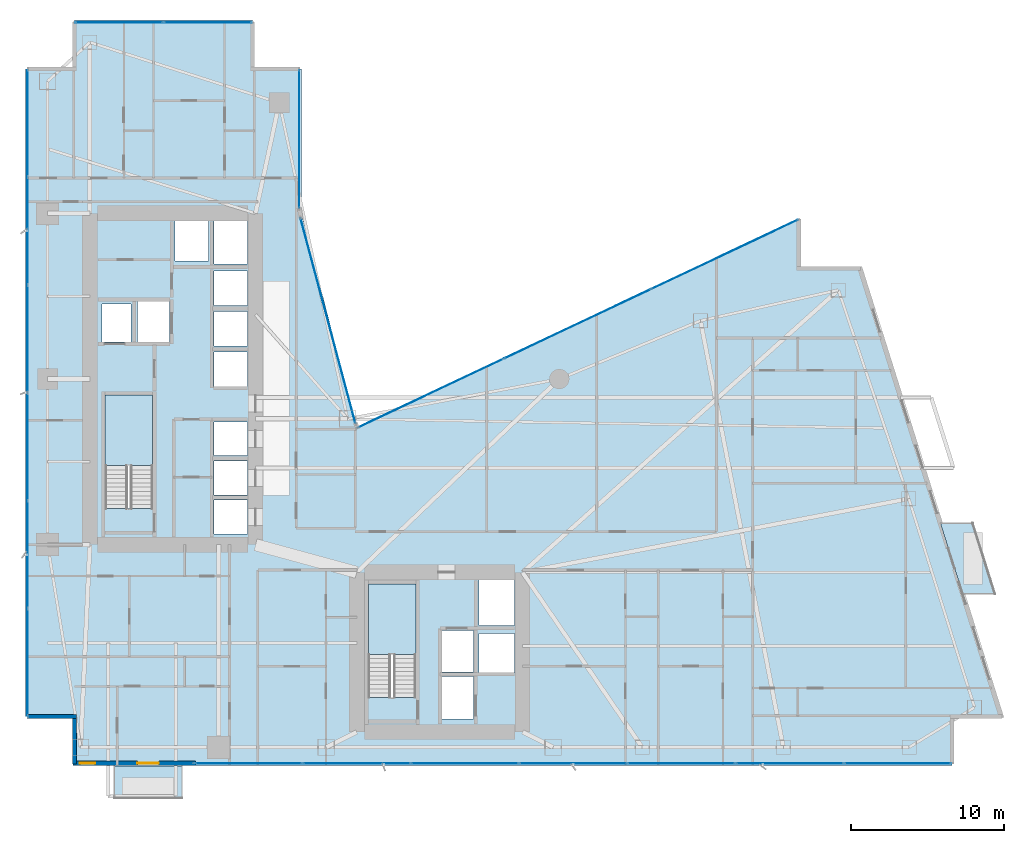
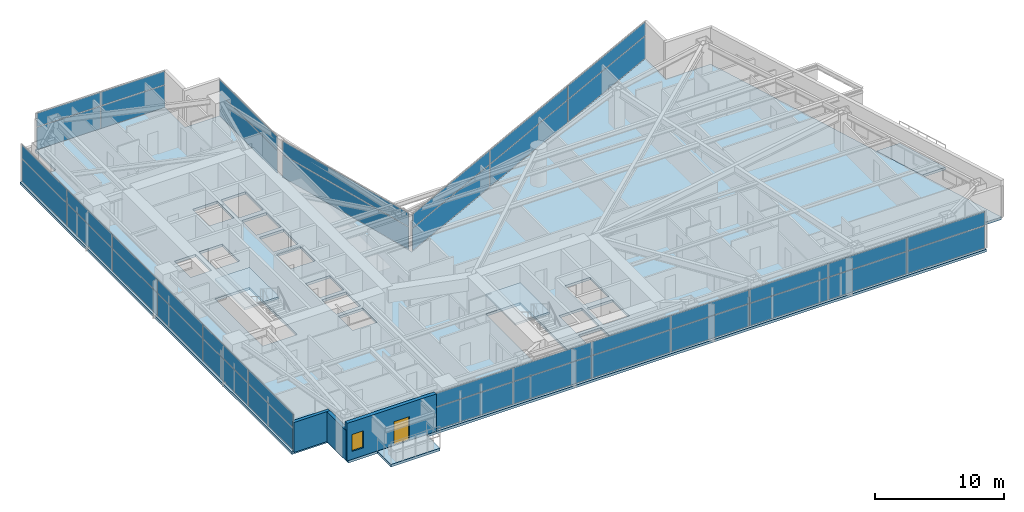
# One storey, part 21 of 29: 40 plates, 5 slabs, 3 walls, 1 door, 1 window, 2 openings, 8 elements without a shape of their own.
"""IFC4 building model written with IfcOpenShell, lengths in metres."""

import ifcopenshell
import ifcopenshell.guid

model = None  # the IFC model being written
_history = None  # IfcOwnerHistory: only IFC2X3 demands one
_inside = {}  # id of a spatial element -> (the spatial element, [elements in it])
_under = {}  # id of a project, library or spatial element -> (it, [spatial elements below it])
_declared = {}  # id of a project -> (the project, [libraries it declares])
_typed = {}  # id of a type object -> (the type object, [elements of that type])
_made_of = {}  # id of a material, layer set ... -> (it, [elements and type objects made of it])


def new_model(schema):
    """Start an empty IFC model of exactly this schema.

    Asked for "IFC4X3", IfcOpenShell would pick the latest addendum, in which some entities
    have other attributes; the version numbers below select the first issue.
    IFC2X3 requires an IfcOwnerHistory on every rooted entity: one is made here for all.
    """
    global model, _history
    if schema == "IFC4X3":
        model = ifcopenshell.file(schema_version=(4, 3, 0, 0))
    else:
        model = ifcopenshell.file(schema=schema)
    _inside.clear()
    _under.clear()
    _declared.clear()
    _typed.clear()
    _made_of.clear()
    _history = None
    if model.schema == "IFC2X3":
        org = make("IfcOrganization", Name="unknown")
        user = make(
            "IfcPersonAndOrganization",
            ThePerson=make("IfcPerson", FamilyName="unknown"),
            TheOrganization=org,
        )
        app = make(
            "IfcApplication",
            ApplicationDeveloper=org,
            Version="unknown",
            ApplicationFullName="unknown",
            ApplicationIdentifier="unknown",
        )
        _history = make(
            "IfcOwnerHistory",
            OwningUser=user,
            OwningApplication=app,
            ChangeAction="ADDED",
            CreationDate=0,
        )
    return model


def make(cls, **values):
    """One entity of the class cls with the attributes given. An attribute that is None is left unset."""
    return model.create_entity(
        cls, **{name: value for name, value in values.items() if value is not None}
    )


def rooted(cls, **values):
    """An entity with a GlobalId (a new one), such as an element, a storey or a relation."""
    return make(cls, GlobalId=ifcopenshell.guid.new(), OwnerHistory=_history, **values)


def si_unit(unit_type, name, prefix=None):
    """IfcSIUnit, for example si_unit("LENGTHUNIT", "METRE", prefix="MILLI")."""
    return make("IfcSIUnit", UnitType=unit_type, Prefix=prefix, Name=name)


def assignment(units):
    """IfcUnitAssignment: the units of a project."""
    return None if units is None else make("IfcUnitAssignment", Units=units)


def point(xyz):
    """IfcCartesianPoint."""
    return None if xyz is None else make("IfcCartesianPoint", Coordinates=xyz)


def direction(xyz):
    """IfcDirection."""
    return None if xyz is None else make("IfcDirection", DirectionRatios=xyz)


def frame(location, z_axis=None, x_axis=None):
    """IfcAxis2Placement3D, a coordinate frame: its origin and axes. An axis left out is left unset."""
    return make(
        "IfcAxis2Placement3D",
        Location=point(location),
        Axis=direction(z_axis),
        RefDirection=direction(x_axis),
    )


def frame_2d(location, x_axis=None):
    """IfcAxis2Placement2D, a coordinate frame in the plane: its origin and x axis."""
    return make(
        "IfcAxis2Placement2D", Location=point(location), RefDirection=direction(x_axis)
    )


def origin():
    """The frame at (0, 0, 0) with its axes left unset."""
    return frame((0.0, 0.0, 0.0))


def origin_2d():
    """The frame at (0, 0) in the plane with its x axis left unset."""
    return frame_2d((0.0, 0.0))


def place(relative_to, where):
    """IfcLocalPlacement: puts the frame where relative to a parent placement (None: the world)."""
    return make(
        "IfcLocalPlacement", PlacementRelTo=relative_to, RelativePlacement=where
    )


def context(
    kind, dimensions, precision=None, world=None, true_north=None, identifier=None
):
    """IfcGeometricRepresentationContext, for example the 3D "Model" context."""
    return make(
        "IfcGeometricRepresentationContext",
        ContextIdentifier=identifier,
        ContextType=kind,
        CoordinateSpaceDimension=dimensions,
        Precision=precision,
        WorldCoordinateSystem=world,
        TrueNorth=true_north,
    )


def subcontext(parent, identifier, kind, view, scale=None):
    """IfcGeometricRepresentationSubContext, for example "Body" below "Model"."""
    return make(
        "IfcGeometricRepresentationSubContext",
        ContextIdentifier=identifier,
        ContextType=kind,
        ParentContext=parent,
        TargetScale=scale,
        TargetView=view,
    )


def project(units=None, contexts=None):
    """IfcProject with its units and contexts."""
    return rooted(
        "IfcProject",
        Name="project",
        RepresentationContexts=contexts,
        UnitsInContext=assignment(units),
    )


def spatial(cls, under=None, at=None, **own):
    """A site, building, storey or space (cls), placed at a placement, below another one or the project."""
    s = rooted(cls, ObjectPlacement=at, **own)
    if under is not None:
        _under.setdefault(under.id(), (under, []))[1].append(s)
    return s


def polyline(points):
    """IfcPolyline through the points."""
    return make("IfcPolyline", Points=[point(p) for p in points])


def profile(cls, at=None, kind="AREA", **sizes):
    """A parametric profile (cls). Its sizes go by their IFC names, for example OverallWidth=200.0."""
    return make(cls, ProfileType=kind, Position=at, **sizes)


def rectangle(**sizes):
    """IfcRectangleProfileDef."""
    return profile("IfcRectangleProfileDef", **sizes)


def outline(outer, holes=None, kind="AREA"):
    """IfcArbitraryClosedProfileDef: a profile drawn as a closed curve; with holes, ...WithVoids."""
    if holes is None:
        return make("IfcArbitraryClosedProfileDef", ProfileType=kind, OuterCurve=outer)
    return make(
        "IfcArbitraryProfileDefWithVoids",
        ProfileType=kind,
        OuterCurve=outer,
        InnerCurves=holes,
    )


def extrude(swept, where, along, depth):
    """IfcExtrudedAreaSolid: the profile swept, set in the frame where, extruded along a direction by depth."""
    return make(
        "IfcExtrudedAreaSolid",
        SweptArea=swept,
        Position=where,
        ExtrudedDirection=direction(along),
        Depth=depth,
    )


def shape(context_of_items, identifier, shape_type, items):
    """IfcShapeRepresentation: the items that make up one representation, for example the "Body"."""
    return make(
        "IfcShapeRepresentation",
        ContextOfItems=context_of_items,
        RepresentationIdentifier=identifier,
        RepresentationType=shape_type,
        Items=items,
    )


def material(Name=None, Category=None):
    """IfcMaterial."""
    return make("IfcMaterial", Name=Name, Category=Category)


def layer(
    of_material, thickness, ventilated=None, Name=None, Category=None, Priority=None
):
    """IfcMaterialLayer: one layer of a wall or slab, of a material (None: an air gap)."""
    return make(
        "IfcMaterialLayer",
        Material=of_material,
        LayerThickness=thickness,
        IsVentilated=ventilated,
        Name=Name,
        Category=Category,
        Priority=Priority,
    )


def layer_set(layers, Name=None):
    """IfcMaterialLayerSet."""
    return make("IfcMaterialLayerSet", MaterialLayers=layers, LayerSetName=Name)


def made_of(thing, what):
    """Note that an element or type object is made of a material, layer set ...; save() writes the relation."""
    if what is not None:
        _made_of.setdefault(what.id(), (what, []))[1].append(thing)
    return thing


def type_object(cls, material=None, **own):
    """A type object (cls), such as IfcWallType, which elements share."""
    return made_of(rooted(cls, **own), material)


def element(
    cls,
    number,
    at=None,
    inside=None,
    cuts=None,
    type_object=None,
    material=None,
    context=None,
    identifier="Body",
    shape_type=None,
    held_by="IfcProductDefinitionShape",
    body=None,
    shapes=None,
    **own,
):
    """One element of the class cls, such as IfcWall. Its Tag is "e" and its number.

    at: its placement. inside: the storey or other place that contains it. cuts: it is an
    opening in that element (IfcRelVoidsElement). A single representation is given by context,
    identifier, shape_type and body (its items); several are given by shapes. held_by: the class
    of the entity that holds the representations. save() writes the other relations.
    """
    e = rooted(cls, Tag="e%d" % number, ObjectPlacement=at, **own)
    if body is not None:
        shapes = [shape(context, identifier, shape_type, body)]
    if shapes is not None:
        e.Representation = make(held_by, Representations=shapes)
    if inside is not None:
        _inside.setdefault(inside.id(), (inside, []))[1].append(e)
    if cuts is not None:
        rooted(
            "IfcRelVoidsElement", RelatingBuildingElement=cuts, RelatedOpeningElement=e
        )
    if type_object is not None:
        _typed.setdefault(type_object.id(), (type_object, []))[1].append(e)
    return made_of(e, material)


def fill(opening, filler):
    """IfcRelFillsElement: the door or window that sits in an opening."""
    return rooted(
        "IfcRelFillsElement",
        RelatingOpeningElement=opening,
        RelatedBuildingElement=filler,
    )


def aggregate(whole, parts):
    """IfcRelAggregates: a whole, such as a stair, and the parts it consists of."""
    return rooted("IfcRelAggregates", RelatingObject=whole, RelatedObjects=parts)


def save(model, path):
    """Write the relations noted so far, then the file.

    IfcRelAggregates (storeys below a building ...), IfcRelContainedInSpatialStructure (elements
    in a storey), IfcRelDefinesByType, IfcRelAssociatesMaterial and IfcRelDeclares: one each for
    every whole, place, type object, material and project.
    """
    for whole, parts in _under.values():
        aggregate(whole, parts)
    for where, things in _inside.values():
        rooted(
            "IfcRelContainedInSpatialStructure",
            RelatedElements=things,
            RelatingStructure=where,
        )
    for kind, things in _typed.values():
        rooted("IfcRelDefinesByType", RelatedObjects=things, RelatingType=kind)
    for what, things in _made_of.values():
        rooted("IfcRelAssociatesMaterial", RelatedObjects=things, RelatingMaterial=what)
    for by, libraries in _declared.values():
        rooted("IfcRelDeclares", RelatingContext=by, RelatedDefinitions=libraries)
    model.write(path)


model = new_model("IFC4")

# Units and contexts
model_context = context("Model", 3, precision=1e-05, world=origin(), true_north=direction((0.0, 1.0)))
body_context = subcontext(model_context, "Body", "Model", "MODEL_VIEW")
ifc_project = project(units=[si_unit("LENGTHUNIT", "METRE"), si_unit("AREAUNIT", "SQUARE_METRE"), si_unit("VOLUMEUNIT", "CUBIC_METRE"), si_unit("PLANEANGLEUNIT", "RADIAN"), si_unit("MASSUNIT", "GRAM", prefix="KILO")], contexts=[model_context])

# Site, building, storey
site_placement = place(None, origin())
site = spatial("IfcSite", under=ifc_project, at=site_placement, CompositionType="ELEMENT")
building_placement = place(site_placement, origin())
building = spatial("IfcBuilding", under=site, at=building_placement, Name="Calvorn Quay Hotel", CompositionType="ELEMENT")
storey_placement = place(building_placement, frame((0.0, 0.0, 38.39990234375)))
storey = spatial("IfcBuildingStorey", under=building, at=storey_placement, Name="L08", CompositionType="ELEMENT", Elevation=38.39990234375)

# Curtain wall, plates
ifc_material_1 = material(Name="Pale Anodised Aluminium and Low-E Glass", Category="aluminium")
ifc_layer_1 = layer(ifc_material_1, 0.219970703125)
ifc_layer_set_1 = layer_set([ifc_layer_1], Name="CW-SYS-Z1")
curtain_wall_type = type_object("IfcCurtainWallType", Name="CW-SYS-Z1", PredefinedType="NOTDEFINED", material=ifc_layer_set_1)
curtain_wall_1_placement = place(storey_placement, origin())
curtain_wall_1 = element("IfcCurtainWall", 1, at=curtain_wall_1_placement, inside=storey, type_object=curtain_wall_type, Name="Tower West Curtain Wall (L08)", PredefinedType="NOTDEFINED")
ifc_material_2 = material(Name="Low-E Laminated Double Glazing", Category="glass")
ifc_layer_2 = layer(ifc_material_2, 0.028076171875)
ifc_layer_set_2 = layer_set([ifc_layer_2], Name="CW-SYS-Z1-PAN")
plate_type = type_object("IfcPlateType", Name="CW-SYS-Z1-PAN", PredefinedType="CURTAIN_PANEL", material=ifc_layer_set_2)
plate_1_placement = place(storey_placement, frame((0.14990234375, 9.131591796875, 0.06005859375), z_axis=(0.0, 0.0, 1.0), x_axis=(0.0, 1.0, 0.0)))
plate_1 = element("IfcPlate", 2, at=plate_1_placement, type_object=plate_type, Name="CW-L08-W panel 1.1", PredefinedType="CURTAIN_PANEL", context=body_context, shape_type="SweptSolid", body=[
    extrude(rectangle(XDim=6.943359375, YDim=0.028076171875, at=origin_2d()), origin(), (0.0, 0.0, 1.0), 2.110107421875),
])
plate_2_placement = place(storey_placement, frame((0.14990234375, 9.131591796875, 2.22998046875), z_axis=(0.0, 0.0, 1.0), x_axis=(0.0, 1.0, 0.0)))
plate_2 = element("IfcPlate", 3, at=plate_2_placement, type_object=plate_type, Name="CW-L08-W panel 1.2", PredefinedType="CURTAIN_PANEL", context=body_context, shape_type="SweptSolid", body=[
    extrude(rectangle(XDim=6.943359375, YDim=0.028076171875, at=origin_2d()), origin(), (0.0, 0.0, 1.0), 1.27001953125),
])
plate_3_placement = place(storey_placement, frame((0.14990234375, 16.14990234375, 0.06005859375), z_axis=(0.0, 0.0, 1.0), x_axis=(0.0, 1.0, 0.0)))
plate_3 = element("IfcPlate", 4, at=plate_3_placement, type_object=plate_type, Name="CW-L08-W panel 2.1", PredefinedType="CURTAIN_PANEL", context=body_context, shape_type="SweptSolid", body=[
    extrude(rectangle(XDim=6.973388671875, YDim=0.028076171875, at=origin_2d()), origin(), (0.0, 0.0, 1.0), 2.110107421875),
])
plate_4_placement = place(storey_placement, frame((0.14990234375, 16.14990234375, 2.22998046875), z_axis=(0.0, 0.0, 1.0), x_axis=(0.0, 1.0, 0.0)))
plate_4 = element("IfcPlate", 5, at=plate_4_placement, type_object=plate_type, Name="CW-L08-W panel 2.2", PredefinedType="CURTAIN_PANEL", context=body_context, shape_type="SweptSolid", body=[
    extrude(rectangle(XDim=6.973388671875, YDim=0.028076171875, at=origin_2d()), origin(), (0.0, 0.0, 1.0), 1.27001953125),
])
plate_5_placement = place(storey_placement, frame((0.14990234375, 23.183349609375, 0.06005859375), z_axis=(0.0, 0.0, 1.0), x_axis=(0.0, 1.0, 0.0)))
plate_5 = element("IfcPlate", 6, at=plate_5_placement, type_object=plate_type, Name="CW-L08-W panel 3.1", PredefinedType="CURTAIN_PANEL", context=body_context, shape_type="SweptSolid", body=[
    extrude(rectangle(XDim=6.973388671875, YDim=0.028076171875, at=origin_2d()), origin(), (0.0, 0.0, 1.0), 2.110107421875),
])
plate_6_placement = place(storey_placement, frame((0.14990234375, 23.183349609375, 2.22998046875), z_axis=(0.0, 0.0, 1.0), x_axis=(0.0, 1.0, 0.0)))
plate_6 = element("IfcPlate", 7, at=plate_6_placement, type_object=plate_type, Name="CW-L08-W panel 3.2", PredefinedType="CURTAIN_PANEL", context=body_context, shape_type="SweptSolid", body=[
    extrude(rectangle(XDim=6.973388671875, YDim=0.028076171875, at=origin_2d()), origin(), (0.0, 0.0, 1.0), 1.27001953125),
])
plate_7_placement = place(storey_placement, frame((0.14990234375, 30.216552734375, 0.06005859375), z_axis=(0.0, 0.0, 1.0), x_axis=(0.0, 1.0, 0.0)))
plate_7 = element("IfcPlate", 8, at=plate_7_placement, type_object=plate_type, Name="CW-L08-W panel 4.1", PredefinedType="CURTAIN_PANEL", context=body_context, shape_type="SweptSolid", body=[
    extrude(rectangle(XDim=6.973388671875, YDim=0.028076171875, at=origin_2d()), origin(), (0.0, 0.0, 1.0), 2.110107421875),
])
plate_8_placement = place(storey_placement, frame((0.14990234375, 30.216552734375, 2.22998046875), z_axis=(0.0, 0.0, 1.0), x_axis=(0.0, 1.0, 0.0)))
plate_8 = element("IfcPlate", 9, at=plate_8_placement, type_object=plate_type, Name="CW-L08-W panel 4.2", PredefinedType="CURTAIN_PANEL", context=body_context, shape_type="SweptSolid", body=[
    extrude(rectangle(XDim=6.973388671875, YDim=0.028076171875, at=origin_2d()), origin(), (0.0, 0.0, 1.0), 1.27001953125),
])
plate_9_placement = place(storey_placement, frame((0.14990234375, 37.25, 0.06005859375), z_axis=(0.0, 0.0, 1.0), x_axis=(0.0, 1.0, 0.0)))
plate_9 = element("IfcPlate", 10, at=plate_9_placement, type_object=plate_type, Name="CW-L08-W panel 5.1", PredefinedType="CURTAIN_PANEL", context=body_context, shape_type="SweptSolid", body=[
    extrude(rectangle(XDim=6.973388671875, YDim=0.028076171875, at=origin_2d()), origin(), (0.0, 0.0, 1.0), 2.110107421875),
])
plate_10_placement = place(storey_placement, frame((0.14990234375, 37.25, 2.22998046875), z_axis=(0.0, 0.0, 1.0), x_axis=(0.0, 1.0, 0.0)))
plate_10 = element("IfcPlate", 11, at=plate_10_placement, type_object=plate_type, Name="CW-L08-W panel 5.2", PredefinedType="CURTAIN_PANEL", context=body_context, shape_type="SweptSolid", body=[
    extrude(rectangle(XDim=6.973388671875, YDim=0.028076171875, at=origin_2d()), origin(), (0.0, 0.0, 1.0), 1.27001953125),
])
plate_11_placement = place(storey_placement, frame((0.14990234375, 44.268310546875, 0.06005859375), z_axis=(0.0, 0.0, 1.0), x_axis=(0.0, 1.0, 0.0)))
plate_11 = element("IfcPlate", 12, at=plate_11_placement, type_object=plate_type, Name="CW-L08-W panel 6.1", PredefinedType="CURTAIN_PANEL", context=body_context, shape_type="SweptSolid", body=[
    extrude(rectangle(XDim=6.943359375, YDim=0.028076171875, at=origin_2d()), origin(), (0.0, 0.0, 1.0), 2.110107421875),
])
plate_12_placement = place(storey_placement, frame((0.14990234375, 44.268310546875, 2.22998046875), z_axis=(0.0, 0.0, 1.0), x_axis=(0.0, 1.0, 0.0)))
plate_12 = element("IfcPlate", 13, at=plate_12_placement, type_object=plate_type, Name="CW-L08-W panel 6.2", PredefinedType="CURTAIN_PANEL", context=body_context, shape_type="SweptSolid", body=[
    extrude(rectangle(XDim=6.943359375, YDim=0.028076171875, at=origin_2d()), origin(), (0.0, 0.0, 1.0), 1.27001953125),
])
aggregate(curtain_wall_1, [plate_1, plate_2, plate_3, plate_4, plate_5, plate_6, plate_7, plate_8, plate_9, plate_10, plate_11, plate_12])

curtain_wall_2_placement = place(storey_placement, origin())
curtain_wall_2 = element("IfcCurtainWall", 14, at=curtain_wall_2_placement, inside=storey, type_object=curtain_wall_type, Name="Tower South Waterfront Curtain Wall (L08)", PredefinedType="NOTDEFINED")
plate_13_placement = place(storey_placement, frame((14.54345703125, 2.550048828125, 0.06005859375), z_axis=(0.0, 0.0, 1.0), x_axis=(1.0, 0.0, 0.0)))
plate_13 = element("IfcPlate", 15, at=plate_13_placement, type_object=plate_type, Name="CW-L08-S panel 1.1", PredefinedType="CURTAIN_PANEL", context=body_context, shape_type="SweptSolid", body=[
    extrude(rectangle(XDim=6.967041015625, YDim=0.028076171875, at=origin_2d()), origin(), (0.0, 0.0, 1.0), 2.110107421875),
])
plate_14_placement = place(storey_placement, frame((14.54345703125, 2.550048828125, 2.22998046875), z_axis=(0.0, 0.0, 1.0), x_axis=(1.0, 0.0, 0.0)))
plate_14 = element("IfcPlate", 16, at=plate_14_placement, type_object=plate_type, Name="CW-L08-S panel 1.2", PredefinedType="CURTAIN_PANEL", context=body_context, shape_type="SweptSolid", body=[
    extrude(rectangle(XDim=6.967041015625, YDim=0.028076171875, at=origin_2d()), origin(), (0.0, 0.0, 1.0), 1.27001953125),
])
plate_15_placement = place(storey_placement, frame((21.585693359375, 2.550048828125, 0.06005859375), z_axis=(0.0, 0.0, 1.0), x_axis=(1.0, 0.0, 0.0)))
plate_15 = element("IfcPlate", 17, at=plate_15_placement, type_object=plate_type, Name="CW-L08-S panel 2.1", PredefinedType="CURTAIN_PANEL", context=body_context, shape_type="SweptSolid", body=[
    extrude(rectangle(XDim=6.9970703125, YDim=0.028076171875, at=origin_2d()), origin(), (0.0, 0.0, 1.0), 2.110107421875),
])
plate_16_placement = place(storey_placement, frame((21.585693359375, 2.550048828125, 2.22998046875), z_axis=(0.0, 0.0, 1.0), x_axis=(1.0, 0.0, 0.0)))
plate_16 = element("IfcPlate", 18, at=plate_16_placement, type_object=plate_type, Name="CW-L08-S panel 2.2", PredefinedType="CURTAIN_PANEL", context=body_context, shape_type="SweptSolid", body=[
    extrude(rectangle(XDim=6.9970703125, YDim=0.028076171875, at=origin_2d()), origin(), (0.0, 0.0, 1.0), 1.27001953125),
])
plate_17_placement = place(storey_placement, frame((28.642822265625, 2.550048828125, 0.06005859375), z_axis=(0.0, 0.0, 1.0), x_axis=(1.0, 0.0, 0.0)))
plate_17 = element("IfcPlate", 19, at=plate_17_placement, type_object=plate_type, Name="CW-L08-S panel 3.1", PredefinedType="CURTAIN_PANEL", context=body_context, shape_type="SweptSolid", body=[
    extrude(rectangle(XDim=6.9970703125, YDim=0.028076171875, at=origin_2d()), origin(), (0.0, 0.0, 1.0), 2.110107421875),
])
plate_18_placement = place(storey_placement, frame((28.642822265625, 2.550048828125, 2.22998046875), z_axis=(0.0, 0.0, 1.0), x_axis=(1.0, 0.0, 0.0)))
plate_18 = element("IfcPlate", 20, at=plate_18_placement, type_object=plate_type, Name="CW-L08-S panel 3.2", PredefinedType="CURTAIN_PANEL", context=body_context, shape_type="SweptSolid", body=[
    extrude(rectangle(XDim=6.9970703125, YDim=0.028076171875, at=origin_2d()), origin(), (0.0, 0.0, 1.0), 1.27001953125),
])
plate_19_placement = place(storey_placement, frame((35.699951171875, 2.550048828125, 0.06005859375), z_axis=(0.0, 0.0, 1.0), x_axis=(1.0, 0.0, 0.0)))
plate_19 = element("IfcPlate", 21, at=plate_19_placement, type_object=plate_type, Name="CW-L08-S panel 4.1", PredefinedType="CURTAIN_PANEL", context=body_context, shape_type="SweptSolid", body=[
    extrude(rectangle(XDim=6.9970703125, YDim=0.028076171875, at=origin_2d()), origin(), (0.0, 0.0, 1.0), 2.110107421875),
])
plate_20_placement = place(storey_placement, frame((35.699951171875, 2.550048828125, 2.22998046875), z_axis=(0.0, 0.0, 1.0), x_axis=(1.0, 0.0, 0.0)))
plate_20 = element("IfcPlate", 22, at=plate_20_placement, type_object=plate_type, Name="CW-L08-S panel 4.2", PredefinedType="CURTAIN_PANEL", context=body_context, shape_type="SweptSolid", body=[
    extrude(rectangle(XDim=6.9970703125, YDim=0.028076171875, at=origin_2d()), origin(), (0.0, 0.0, 1.0), 1.27001953125),
])
plate_21_placement = place(storey_placement, frame((42.757080078125, 2.550048828125, 0.06005859375), z_axis=(0.0, 0.0, 1.0), x_axis=(1.0, 0.0, 0.0)))
plate_21 = element("IfcPlate", 23, at=plate_21_placement, type_object=plate_type, Name="CW-L08-S panel 5.1", PredefinedType="CURTAIN_PANEL", context=body_context, shape_type="SweptSolid", body=[
    extrude(rectangle(XDim=6.9970703125, YDim=0.028076171875, at=origin_2d()), origin(), (0.0, 0.0, 1.0), 2.110107421875),
])
plate_22_placement = place(storey_placement, frame((42.757080078125, 2.550048828125, 2.22998046875), z_axis=(0.0, 0.0, 1.0), x_axis=(1.0, 0.0, 0.0)))
plate_22 = element("IfcPlate", 24, at=plate_22_placement, type_object=plate_type, Name="CW-L08-S panel 5.2", PredefinedType="CURTAIN_PANEL", context=body_context, shape_type="SweptSolid", body=[
    extrude(rectangle(XDim=6.9970703125, YDim=0.028076171875, at=origin_2d()), origin(), (0.0, 0.0, 1.0), 1.27001953125),
])
plate_23_placement = place(storey_placement, frame((49.814208984375, 2.550048828125, 0.06005859375), z_axis=(0.0, 0.0, 1.0), x_axis=(1.0, 0.0, 0.0)))
plate_23 = element("IfcPlate", 25, at=plate_23_placement, type_object=plate_type, Name="CW-L08-S panel 6.1", PredefinedType="CURTAIN_PANEL", context=body_context, shape_type="SweptSolid", body=[
    extrude(rectangle(XDim=6.9970703125, YDim=0.028076171875, at=origin_2d()), origin(), (0.0, 0.0, 1.0), 2.110107421875),
])
plate_24_placement = place(storey_placement, frame((49.814208984375, 2.550048828125, 2.22998046875), z_axis=(0.0, 0.0, 1.0), x_axis=(1.0, 0.0, 0.0)))
plate_24 = element("IfcPlate", 26, at=plate_24_placement, type_object=plate_type, Name="CW-L08-S panel 6.2", PredefinedType="CURTAIN_PANEL", context=body_context, shape_type="SweptSolid", body=[
    extrude(rectangle(XDim=6.9970703125, YDim=0.028076171875, at=origin_2d()), origin(), (0.0, 0.0, 1.0), 1.27001953125),
])
plate_25_placement = place(storey_placement, frame((56.8564453125, 2.550048828125, 0.06005859375), z_axis=(0.0, 0.0, 1.0), x_axis=(1.0, 0.0, 0.0)))
plate_25 = element("IfcPlate", 27, at=plate_25_placement, type_object=plate_type, Name="CW-L08-S panel 7.1", PredefinedType="CURTAIN_PANEL", context=body_context, shape_type="SweptSolid", body=[
    extrude(rectangle(XDim=6.967041015625, YDim=0.028076171875, at=origin_2d()), origin(), (0.0, 0.0, 1.0), 2.110107421875),
])
plate_26_placement = place(storey_placement, frame((56.8564453125, 2.550048828125, 2.22998046875), z_axis=(0.0, 0.0, 1.0), x_axis=(1.0, 0.0, 0.0)))
plate_26 = element("IfcPlate", 28, at=plate_26_placement, type_object=plate_type, Name="CW-L08-S panel 7.2", PredefinedType="CURTAIN_PANEL", context=body_context, shape_type="SweptSolid", body=[
    extrude(rectangle(XDim=6.967041015625, YDim=0.028076171875, at=origin_2d()), origin(), (0.0, 0.0, 1.0), 1.27001953125),
])
aggregate(curtain_wall_2, [plate_13, plate_14, plate_15, plate_16, plate_17, plate_18, plate_19, plate_20, plate_21, plate_22, plate_23, plate_24, plate_25, plate_26])

curtain_wall_3_placement = place(storey_placement, origin())
curtain_wall_3 = element("IfcCurtainWall", 29, at=curtain_wall_3_placement, inside=storey, type_object=curtain_wall_type, Name="Inner Court Curtain Wall L08-NE1", PredefinedType="NOTDEFINED")
plate_27_placement = place(storey_placement, frame((45.58642578125, 35.726806640625, 0.06005859375), z_axis=(0.0, 0.0, 1.0), x_axis=(-0.904248646743, -0.427006305415, 0.0)))
plate_27 = element("IfcPlate", 30, at=plate_27_placement, type_object=plate_type, Name="CW-L08-NE1 panel 1.1", PredefinedType="CURTAIN_PANEL", context=body_context, shape_type="SweptSolid", body=[
    extrude(rectangle(XDim=10.526611328125, YDim=0.028076171875, at=origin_2d()), origin(), (0.0, 0.0, 1.0), 2.110107421875),
])
plate_28_placement = place(storey_placement, frame((45.58642578125, 35.726806640625, 2.22998046875), z_axis=(0.0, 0.0, 1.0), x_axis=(-0.904248646743, -0.427006305415, 0.0)))
plate_28 = element("IfcPlate", 31, at=plate_28_placement, type_object=plate_type, Name="CW-L08-NE1 panel 1.2", PredefinedType="CURTAIN_PANEL", context=body_context, shape_type="SweptSolid", body=[
    extrude(rectangle(XDim=10.526611328125, YDim=0.028076171875, at=origin_2d()), origin(), (0.0, 0.0, 1.0), 1.27001953125),
])
plate_29_placement = place(storey_placement, frame((36.0, 31.199951171875, 0.06005859375), z_axis=(0.0, 0.0, 1.0), x_axis=(-0.904248646743, -0.427006305415, 0.0)))
plate_29 = element("IfcPlate", 32, at=plate_29_placement, type_object=plate_type, Name="CW-L08-NE1 panel 2.1", PredefinedType="CURTAIN_PANEL", context=body_context, shape_type="SweptSolid", body=[
    extrude(rectangle(XDim=10.556640625, YDim=0.028076171875, at=origin_2d()), origin(), (0.0, 0.0, 1.0), 2.110107421875),
])
plate_30_placement = place(storey_placement, frame((36.0, 31.199951171875, 2.22998046875), z_axis=(0.0, 0.0, 1.0), x_axis=(-0.904248646743, -0.427006305415, 0.0)))
plate_30 = element("IfcPlate", 33, at=plate_30_placement, type_object=plate_type, Name="CW-L08-NE1 panel 2.2", PredefinedType="CURTAIN_PANEL", context=body_context, shape_type="SweptSolid", body=[
    extrude(rectangle(XDim=10.556640625, YDim=0.028076171875, at=origin_2d()), origin(), (0.0, 0.0, 1.0), 1.27001953125),
])
plate_31_placement = place(storey_placement, frame((26.41357421875, 26.673095703125, 0.06005859375), z_axis=(0.0, 0.0, 1.0), x_axis=(-0.904248646743, -0.427006305415, 0.0)))
plate_31 = element("IfcPlate", 34, at=plate_31_placement, type_object=plate_type, Name="CW-L08-NE1 panel 3.1", PredefinedType="CURTAIN_PANEL", context=body_context, shape_type="SweptSolid", body=[
    extrude(rectangle(XDim=10.526611328125, YDim=0.028076171875, at=origin_2d()), origin(), (0.0, 0.0, 1.0), 2.110107421875),
])
plate_32_placement = place(storey_placement, frame((26.41357421875, 26.673095703125, 2.22998046875), z_axis=(0.0, 0.0, 1.0), x_axis=(-0.904248646743, -0.427006305415, 0.0)))
plate_32 = element("IfcPlate", 35, at=plate_32_placement, type_object=plate_type, Name="CW-L08-NE1 panel 3.2", PredefinedType="CURTAIN_PANEL", context=body_context, shape_type="SweptSolid", body=[
    extrude(rectangle(XDim=10.526611328125, YDim=0.028076171875, at=origin_2d()), origin(), (0.0, 0.0, 1.0), 1.27001953125),
])
aggregate(curtain_wall_3, [plate_27, plate_28, plate_29, plate_30, plate_31, plate_32])

curtain_wall_4_placement = place(storey_placement, origin())
curtain_wall_4 = element("IfcCurtainWall", 36, at=curtain_wall_4_placement, inside=storey, type_object=curtain_wall_type, Name="Inner Court Curtain Wall L08-IC1", PredefinedType="NOTDEFINED")
plate_33_placement = place(storey_placement, frame((19.72509765625, 31.39990234375, 0.06005859375), z_axis=(0.0, 0.0, 1.0), x_axis=(-0.25877913024, 0.96593652056, 0.0)))
plate_33 = element("IfcPlate", 37, at=plate_33_placement, type_object=plate_type, Name="CW-L08-IC1 panel 1.1", PredefinedType="CURTAIN_PANEL", context=body_context, shape_type="SweptSolid", body=[
    extrude(rectangle(XDim=13.814697265625, YDim=0.028076171875, at=origin_2d()), origin(), (0.0, 0.0, 1.0), 2.110107421875),
])
plate_34_placement = place(storey_placement, frame((19.72509765625, 31.39990234375, 2.22998046875), z_axis=(0.0, 0.0, 1.0), x_axis=(-0.25877913024, 0.96593652056, 0.0)))
plate_34 = element("IfcPlate", 38, at=plate_34_placement, type_object=plate_type, Name="CW-L08-IC1 panel 1.2", PredefinedType="CURTAIN_PANEL", context=body_context, shape_type="SweptSolid", body=[
    extrude(rectangle(XDim=13.814697265625, YDim=0.028076171875, at=origin_2d()), origin(), (0.0, 0.0, 1.0), 1.27001953125),
])
aggregate(curtain_wall_4, [plate_33, plate_34])

curtain_wall_5_placement = place(storey_placement, origin())
curtain_wall_5 = element("IfcCurtainWall", 39, at=curtain_wall_5_placement, inside=storey, type_object=curtain_wall_type, Name="Inner Court Curtain Wall L08-IC2", PredefinedType="NOTDEFINED")
plate_35_placement = place(storey_placement, frame((17.85009765625, 43.239990234375, 0.06005859375), z_axis=(0.0, 0.0, 1.0), x_axis=(0.0, 1.0, 0.0)))
plate_35 = element("IfcPlate", 40, at=plate_35_placement, type_object=plate_type, Name="CW-L08-IC2 panel 1.1", PredefinedType="CURTAIN_PANEL", context=body_context, shape_type="SweptSolid", body=[
    extrude(rectangle(XDim=9.0, YDim=0.028076171875, at=origin_2d()), origin(), (0.0, 0.0, 1.0), 2.110107421875),
])
plate_36_placement = place(storey_placement, frame((17.85009765625, 43.239990234375, 2.22998046875), z_axis=(0.0, 0.0, 1.0), x_axis=(0.0, 1.0, 0.0)))
plate_36 = element("IfcPlate", 41, at=plate_36_placement, type_object=plate_type, Name="CW-L08-IC2 panel 1.2", PredefinedType="CURTAIN_PANEL", context=body_context, shape_type="SweptSolid", body=[
    extrude(rectangle(XDim=9.0, YDim=0.028076171875, at=origin_2d()), origin(), (0.0, 0.0, 1.0), 1.27001953125),
])
aggregate(curtain_wall_5, [plate_35, plate_36])

curtain_wall_6_placement = place(storey_placement, origin())
curtain_wall_6 = element("IfcCurtainWall", 42, at=curtain_wall_6_placement, inside=storey, type_object=curtain_wall_type, Name="Inner Court Curtain Wall L08-N1", PredefinedType="NOTDEFINED")
plate_37_placement = place(storey_placement, frame((11.885009765625, 50.85009765625, 0.06005859375), z_axis=(0.0, 0.0, 1.0), x_axis=(-1.0, 0.0, 0.0)))
plate_37 = element("IfcPlate", 43, at=plate_37_placement, type_object=plate_type, Name="CW-L08-N1 panel 1.1", PredefinedType="CURTAIN_PANEL", context=body_context, shape_type="SweptSolid", body=[
    extrude(rectangle(XDim=5.7099609375, YDim=0.028076171875, at=origin_2d()), origin(), (0.0, 0.0, 1.0), 2.110107421875),
])
plate_38_placement = place(storey_placement, frame((11.885009765625, 50.85009765625, 2.22998046875), z_axis=(0.0, 0.0, 1.0), x_axis=(-1.0, 0.0, 0.0)))
plate_38 = element("IfcPlate", 44, at=plate_38_placement, type_object=plate_type, Name="CW-L08-N1 panel 1.2", PredefinedType="CURTAIN_PANEL", context=body_context, shape_type="SweptSolid", body=[
    extrude(rectangle(XDim=5.7099609375, YDim=0.028076171875, at=origin_2d()), origin(), (0.0, 0.0, 1.0), 1.27001953125),
])
plate_39_placement = place(storey_placement, frame((6.114990234375, 50.85009765625, 0.06005859375), z_axis=(0.0, 0.0, 1.0), x_axis=(-1.0, 0.0, 0.0)))
plate_39 = element("IfcPlate", 45, at=plate_39_placement, type_object=plate_type, Name="CW-L08-N1 panel 2.1", PredefinedType="CURTAIN_PANEL", context=body_context, shape_type="SweptSolid", body=[
    extrude(rectangle(XDim=5.7099609375, YDim=0.028076171875, at=origin_2d()), origin(), (0.0, 0.0, 1.0), 2.110107421875),
])
plate_40_placement = place(storey_placement, frame((6.114990234375, 50.85009765625, 2.22998046875), z_axis=(0.0, 0.0, 1.0), x_axis=(-1.0, 0.0, 0.0)))
plate_40 = element("IfcPlate", 46, at=plate_40_placement, type_object=plate_type, Name="CW-L08-N1 panel 2.2", PredefinedType="CURTAIN_PANEL", context=body_context, shape_type="SweptSolid", body=[
    extrude(rectangle(XDim=5.7099609375, YDim=0.028076171875, at=origin_2d()), origin(), (0.0, 0.0, 1.0), 1.27001953125),
])
aggregate(curtain_wall_6, [plate_37, plate_38, plate_39, plate_40])

# Slabs
ifc_material_3 = material(Name="Concrete C40", Category="concrete")
ifc_layer_3 = layer(ifc_material_3, 0.239990234375)
ifc_layer_set_3 = layer_set([ifc_layer_3], Name="SLB-BALCONY-220")
slab_type_1 = type_object("IfcSlabType", Name="SLB-BALCONY-220", PredefinedType="FLOOR", material=ifc_layer_set_3)
slab_1_placement = place(storey_placement, frame((0.0, 0.0, -0.239990234375)))
element("IfcSlab", 47, at=slab_1_placement, inside=storey, type_object=slab_type_1, Name="Tree Balcony Slab L08-BALC-E", PredefinedType="FLOOR", context=body_context, shape_type="SweptSolid", body=[
    extrude(outline(polyline([(61.089111328125, 13.60009765625), (63.18896484375, 13.60009765625), (61.739990234375, 18.199951171875), (59.639892578125, 18.199951171875), (61.089111328125, 13.60009765625)])), origin(), (0.0, 0.0, 1.0), 0.239990234375),
])
slab_2_placement = place(storey_placement, frame((0.0, 0.0, -0.239990234375)))
element("IfcSlab", 48, at=slab_2_placement, inside=storey, type_object=slab_type_1, Name="Tree Balcony Slab L08-BALC-S", PredefinedType="FLOOR", context=body_context, shape_type="SweptSolid", body=[
    extrude(outline(polyline([(5.800048828125, 0.2900390625), (10.199951171875, 0.2900390625), (10.199951171875, 2.389892578125), (5.800048828125, 2.389892578125), (5.800048828125, 0.2900390625)])), origin(), (0.0, 0.0, 1.0), 0.239990234375),
])

# Stair, slab
ifc_material_4 = material(Name="Concrete C40", Category="concrete")
stair_type = type_object("IfcStairType", Name="STR-CORE-DOGLEG", PredefinedType="HALF_TURN_STAIR", material=ifc_material_4)
stair_1_placement = place(storey_placement, origin())
stair_1 = element("IfcStair", 49, at=stair_1_placement, inside=storey, type_object=stair_type, Name="L08 ST-W", PredefinedType="HALF_TURN_STAIR")
ifc_material_5 = material(Name="Concrete C40", Category="concrete")
ifc_layer_4 = layer(ifc_material_5, 0.199951171875)
ifc_layer_set_4 = layer_set([ifc_layer_4], Name="SLB-STAIR-LANDING-200")
slab_type_2 = type_object("IfcSlabType", Name="SLB-STAIR-LANDING-200", PredefinedType="LANDING", material=ifc_layer_set_4)
slab_3_placement = place(storey_placement, frame((0.0, 0.0, 1.7001953125)))
slab_3 = element("IfcSlab", 50, at=slab_3_placement, type_object=slab_type_2, Name="ST-W landing 1", PredefinedType="LANDING", context=body_context, shape_type="SweptSolid", body=[
    extrude(outline(polyline([(8.300048828125, 21.949951171875), (8.300048828125, 26.550048828125), (5.199951171875, 26.550048828125), (5.199951171875, 21.949951171875), (8.300048828125, 21.949951171875)])), origin(), (0.0, 0.0, 1.0), 0.199951171875),
])
aggregate(stair_1, [slab_3])

stair_2_placement = place(storey_placement, origin())
stair_2 = element("IfcStair", 51, at=stair_2_placement, inside=storey, type_object=stair_type, Name="L08 ST-E", PredefinedType="HALF_TURN_STAIR")
slab_4_placement = place(storey_placement, frame((0.0, 0.0, 1.7001953125)))
slab_4 = element("IfcSlab", 52, at=slab_4_placement, type_object=slab_type_2, Name="ST-E landing 1", PredefinedType="LANDING", context=body_context, shape_type="SweptSolid", body=[
    extrude(outline(polyline([(25.449951171875, 9.64990234375), (25.449951171875, 14.25), (22.35009765625, 14.25), (22.35009765625, 9.64990234375), (25.449951171875, 9.64990234375)])), origin(), (0.0, 0.0, 1.0), 0.199951171875),
])
aggregate(stair_2, [slab_4])

# Slab
ifc_material_6 = material(Name="Concrete C40", Category="concrete")
ifc_layer_5 = layer(ifc_material_6, 0.239990234375)
ifc_layer_set_5 = layer_set([ifc_layer_5], Name="SLB-TOWER-240")
slab_type_3 = type_object("IfcSlabType", Name="SLB-TOWER-240", PredefinedType="FLOOR", material=ifc_layer_set_5)
slab_5_placement = place(storey_placement, frame((0.0, 0.0, -0.239990234375)))
element("IfcSlab", 53, at=slab_5_placement, inside=storey, type_object=slab_type_3, Name="L08 Structural Floor Slab", PredefinedType="FLOOR", context=body_context, shape_type="SweptSolid", body=[
    extrude(outline(polyline([(0.0, 5.60009765625), (3.199951171875, 5.60009765625), (3.199951171875, 2.39990234375), (60.39990234375, 2.39990234375), (60.39990234375, 5.60009765625), (63.60009765625, 5.60009765625), (54.39990234375, 34.800048828125), (50.39990234375, 34.800048828125), (50.39990234375, 38.0), (21.60009765625, 24.39990234375), (18.0, 38.39990234375), (18.0, 47.800048828125), (14.800048828125, 47.800048828125), (14.800048828125, 51.0), (3.199951171875, 51.0), (3.199951171875, 47.800048828125), (0.0, 47.800048828125), (0.0, 5.60009765625)]), holes=[polyline([(5.199951171875, 19.156005859375), (8.300048828125, 19.156005859375), (8.300048828125, 26.550048828125), (5.199951171875, 26.550048828125), (5.199951171875, 19.156005859375)]), polyline([(22.35009765625, 6.85595703125), (25.449951171875, 6.85595703125), (25.449951171875, 14.25), (22.35009765625, 14.25), (22.35009765625, 6.85595703125)]), polyline([(5.0, 30.0), (6.89990234375, 30.0), (6.89990234375, 32.5), (5.0, 32.5), (5.0, 30.0)]), polyline([(7.300048828125, 30.0), (9.39990234375, 30.0), (9.39990234375, 32.64990234375), (7.300048828125, 32.64990234375), (7.300048828125, 30.0)]), polyline([(27.159912109375, 8.5), (29.2099609375, 8.5), (29.2099609375, 11.199951171875), (27.159912109375, 11.199951171875), (27.159912109375, 8.5)]), polyline([(27.159912109375, 5.449951171875), (29.2099609375, 5.449951171875), (29.2099609375, 8.199951171875), (27.159912109375, 8.199951171875), (27.159912109375, 5.449951171875)]), polyline([(12.300048828125, 17.5), (14.489990234375, 17.5), (14.489990234375, 19.699951171875), (12.300048828125, 19.699951171875), (12.300048828125, 17.5)]), polyline([(12.300048828125, 20.050048828125), (14.489990234375, 20.050048828125), (14.489990234375, 22.25), (12.300048828125, 22.25), (12.300048828125, 20.050048828125)]), polyline([(12.300048828125, 22.60009765625), (14.489990234375, 22.60009765625), (14.489990234375, 24.800048828125), (12.300048828125, 24.800048828125), (12.300048828125, 22.60009765625)]), polyline([(12.300048828125, 27.10009765625), (14.489990234375, 27.10009765625), (14.489990234375, 29.35009765625), (12.300048828125, 29.35009765625), (12.300048828125, 27.10009765625)]), polyline([(12.300048828125, 29.75), (14.489990234375, 29.75), (14.489990234375, 32.0), (12.300048828125, 32.0), (12.300048828125, 29.75)]), polyline([(12.300048828125, 32.39990234375), (14.489990234375, 32.39990234375), (14.489990234375, 34.64990234375), (12.300048828125, 34.64990234375), (12.300048828125, 32.39990234375)]), polyline([(12.300048828125, 35.10009765625), (14.489990234375, 35.10009765625), (14.489990234375, 37.889892578125), (12.300048828125, 37.889892578125), (12.300048828125, 35.10009765625)]), polyline([(9.75, 35.300048828125), (11.949951171875, 35.300048828125), (11.949951171875, 37.889892578125), (9.75, 37.889892578125), (9.75, 35.300048828125)]), polyline([(29.550048828125, 11.550048828125), (31.889892578125, 11.550048828125), (31.889892578125, 14.489990234375), (29.550048828125, 14.489990234375), (29.550048828125, 11.550048828125)]), polyline([(29.550048828125, 8.449951171875), (31.889892578125, 8.449951171875), (31.889892578125, 11.0), (29.550048828125, 11.0), (29.550048828125, 8.449951171875)])]), origin(), (0.0, 0.0, 1.0), 0.239990234375),
])

# Wall, openings, door, window
ifc_material_7 = material(Name="Concrete C40", Category="concrete")
ifc_layer_6 = layer(ifc_material_7, 0.320068359375)
ifc_layer_set_6 = layer_set([ifc_layer_6], Name="WL-EXT-SPANDREL-320")
wall_type = type_object("IfcWallType", Name="WL-EXT-SPANDREL-320", PredefinedType="SOLIDWALL", material=ifc_layer_set_6)
wall_1_placement = place(storey_placement, frame((3.10009765625, 2.56005859375, 0.0), z_axis=(0.0, 0.0, 1.0), x_axis=(1.0, 0.0, 0.0)))
wall_1 = element("IfcWall", 54, at=wall_1_placement, inside=storey, type_object=wall_type, Name="South Balcony Exterior Wall (L08)", PredefinedType="SOLIDWALL", context=body_context, shape_type="SweptSolid", body=[
    extrude(rectangle(XDim=8.0, YDim=0.320068359375, at=frame_2d((4.0, 0.0))), origin(), (0.0, 0.0, 1.0), 3.56005859375),
])
opening_1_placement = place(wall_1_placement, frame((0.449951171875, 0.0, 0.75)))
opening_1 = element("IfcOpeningElement", 55, at=opening_1_placement, cuts=wall_1, Name="Opening WSB-L08-1", PredefinedType="OPENING", context=body_context, shape_type="SweptSolid", body=[
    extrude(rectangle(XDim=1.0, YDim=1.60009765625, at=frame_2d((0.5, 0.800048828125))), frame((0.0, 0.169921875, 0.0), z_axis=(0.0, -1.0, 0.0), x_axis=(1.0, 0.0, 0.0)), (0.0, 0.0, 1.0), 0.340087890625),
])
opening_2_placement = place(wall_1_placement, frame((4.199951171875, 0.0, 0.0)))
opening_2 = element("IfcOpeningElement", 56, at=opening_2_placement, cuts=wall_1, Name="Opening DB-L08-2", PredefinedType="OPENING", context=body_context, shape_type="SweptSolid", body=[
    extrude(rectangle(XDim=1.39990234375, YDim=2.25, at=frame_2d((0.699951171875, 1.125))), frame((0.0, 0.169921875, 0.0), z_axis=(0.0, -1.0, 0.0), x_axis=(1.0, 0.0, 0.0)), (0.0, 0.0, 1.0), 0.340087890625),
])
ifc_material_8 = material(Name="Typhoon-Rated Low-E Aluminium Terrace Door", Category="aluminium")
door_type = type_object("IfcDoorType", Name="DR-BALCONY-GLZ-1400", OperationType="NOTDEFINED", PredefinedType="DOOR", material=ifc_material_8)
door_placement = place(opening_2_placement, origin())
door = element("IfcDoor", 57, at=door_placement, inside=storey, type_object=door_type, Name="Tree Balcony Terrace Door L08-BALC-S", OperationType="SINGLE_SWING_LEFT", OverallHeight=2.25, OverallWidth=1.39990234375, PredefinedType="DOOR", context=body_context, shape_type="SweptSolid", body=[
    extrude(rectangle(XDim=1.39990234375, YDim=2.25, at=frame_2d((0.699951171875, 1.125))), frame((0.0, 0.02490234375, 0.0), z_axis=(0.0, -1.0, 0.0), x_axis=(1.0, 0.0, 0.0)), (0.0, 0.0, 1.0), 0.050048828125),
])
fill(opening_2, door)
ifc_material_9 = material(Name="Self-Closing Class B Side Fire Window")
window_type = type_object("IfcWindowType", Name="WIN-REFUGE-NARROW-1000x1600", PartitioningType="SINGLE_PANEL", PredefinedType="WINDOW", material=ifc_material_9)
window_placement = place(opening_1_placement, origin())
window = element("IfcWindow", 58, at=window_placement, inside=storey, type_object=window_type, Name="South Waterfront Side Window (L08)", OverallHeight=1.60009765625, OverallWidth=1.0, PartitioningType="SINGLE_PANEL", PredefinedType="WINDOW", context=body_context, shape_type="SweptSolid", body=[
    extrude(rectangle(XDim=1.0, YDim=1.60009765625, at=frame_2d((0.5, 0.800048828125))), frame((0.0, 0.030029296875, 0.0), z_axis=(0.0, -1.0, 0.0), x_axis=(1.0, 0.0, 0.0)), (0.0, 0.0, 1.0), 0.06005859375),
])
fill(opening_1, window)

# Walls
wall_2_placement = place(storey_placement, frame((0.1201171875, 5.60009765625, 0.0), z_axis=(0.0, 0.0, 1.0), x_axis=(1.0, 0.0, 0.0)))
element("IfcWall", 59, at=wall_2_placement, inside=storey, type_object=wall_type, Name="Notched Corner Spandrel L08-SW1", PredefinedType="SOLIDWALL", context=body_context, shape_type="SweptSolid", body=[
    extrude(rectangle(XDim=3.219970703125, YDim=0.280029296875, at=frame_2d((1.60986328125, 0.0))), origin(), (0.0, 0.0, 1.0), 2.840087890625),
])
wall_3_placement = place(storey_placement, frame((3.199951171875, 5.4599609375, 0.0), z_axis=(0.0, 0.0, 1.0), x_axis=(0.0, -1.0, 0.0)))
element("IfcWall", 60, at=wall_3_placement, inside=storey, type_object=wall_type, Name="Notched Corner Spandrel L08-SW2", PredefinedType="SOLIDWALL", context=body_context, shape_type="SweptSolid", body=[
    extrude(rectangle(XDim=2.93994140625, YDim=0.280029296875, at=frame_2d((1.469970703125, 0.0))), origin(), (0.0, 0.0, 1.0), 2.840087890625),
])

save(model, "model.ifc")
